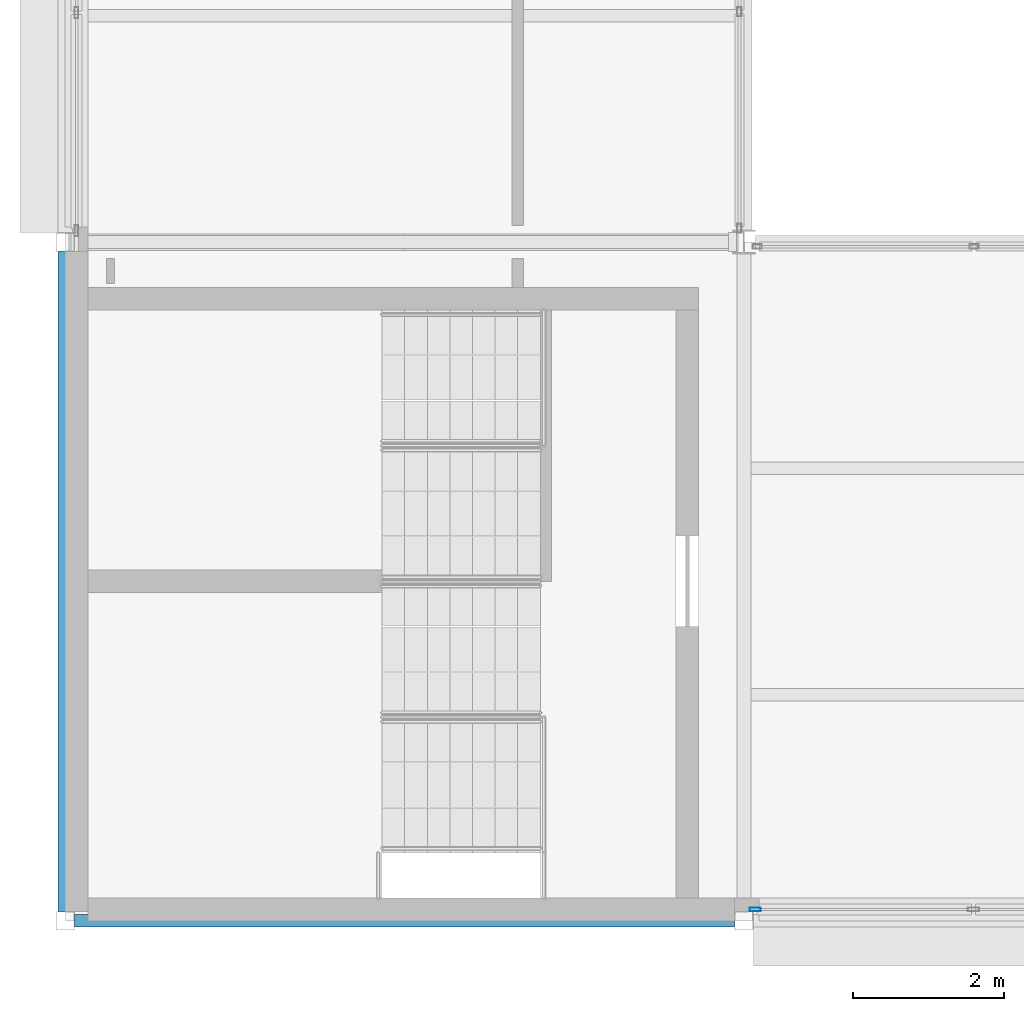
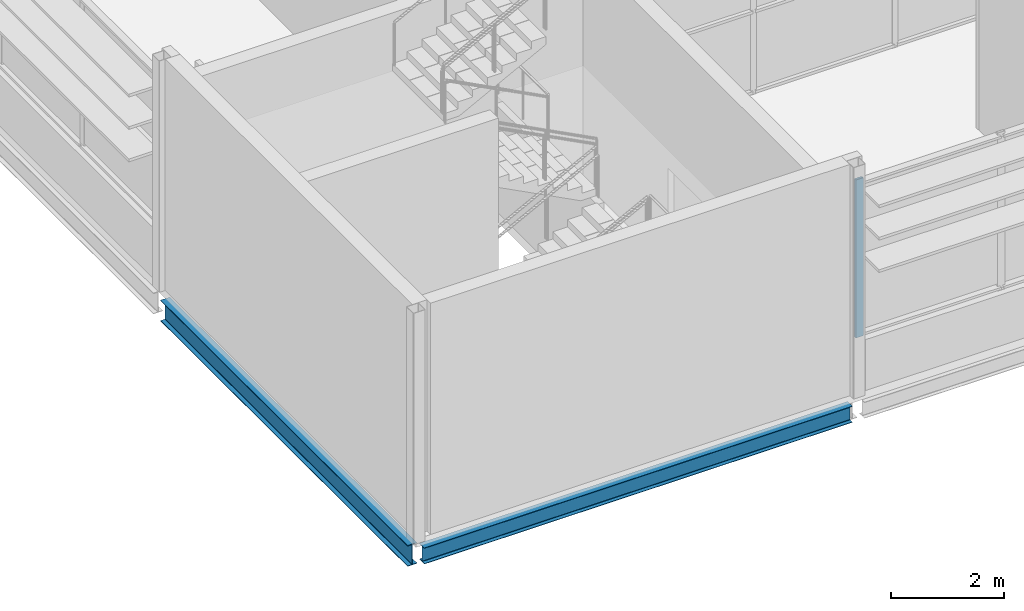
# One storey, part 7 of 61: 2 beams, 1 member, 1 element without a shape of its own.
"""IFC4 building model written with IfcOpenShell, lengths in metres."""

from ifc_helpers import new_model, si_unit, direction, frame, origin, origin_2d, place, context, subcontext, project, spatial, hollow_rectangle, i_section, extrude, material, layer, layer_set, material_profile, profile_set, type_object, element, aggregate, save


model = new_model("IFC4")

# Units and contexts
model_context = context("Model", 3, precision=1e-05, world=origin(), true_north=direction((0.0, 1.0)))
body_context = subcontext(model_context, "Body", "Model", "MODEL_VIEW")
ifc_project = project(units=[si_unit("LENGTHUNIT", "METRE"), si_unit("AREAUNIT", "SQUARE_METRE"), si_unit("VOLUMEUNIT", "CUBIC_METRE"), si_unit("PLANEANGLEUNIT", "RADIAN"), si_unit("MASSUNIT", "GRAM", prefix="KILO")], contexts=[model_context])

# Site, building, storey
site_placement = place(None, origin())
site = spatial("IfcSite", under=ifc_project, at=site_placement, CompositionType="ELEMENT")
building_placement = place(site_placement, origin())
building = spatial("IfcBuilding", under=site, at=building_placement, Name="Shorebreak Coast Museum", CompositionType="ELEMENT")
storey_placement = place(building_placement, frame((0.0, 0.0, 26.0)))
storey = spatial("IfcBuildingStorey", under=building, at=storey_placement, Name="L04", CompositionType="ELEMENT", Elevation=26.0)

# Beams
ifc_material_1 = material(Name="Steel Grade 300", Category="steel")
ifc_material_profile_1 = material_profile(ifc_material_1, i_section(OverallWidth=0.1708984375, OverallDepth=0.35205078125, WebThickness=0.0068359375, FlangeThickness=0.009765625, FilletRadius=0.011474609375, at=origin_2d()), Name="360UB44.7")
ifc_profile_set_1 = profile_set([ifc_material_profile_1], Name="Steel Grade 300")
beam_type_1 = type_object("IfcBeamType", Name="Floor girder east-west 360UB44.7", PredefinedType="BEAM", material=ifc_profile_set_1)
beam_1_placement = place(storey_placement, frame((54.125, 54.0, -0.35107421875), z_axis=(1.0, 0.0, 0.0), x_axis=(0.0, 1.0, 0.0)))
element("IfcBeam", 1, at=beam_1_placement, inside=storey, type_object=beam_type_1, Name="Floor girder east-west L04 7G", PredefinedType="BEAM", context=body_context, shape_type="SweptSolid", body=[
    extrude(i_section(OverallWidth=0.1708984375, OverallDepth=0.35205078125, WebThickness=0.0068359375, FlangeThickness=0.009765625, FilletRadius=0.011474609375, at=origin_2d()), origin(), (0.0, 0.0, 1.0), 8.75),
])
ifc_material_2 = material(Name="Steel Grade 300", Category="steel")
ifc_material_profile_2 = material_profile(ifc_material_2, i_section(OverallWidth=0.18994140625, OverallDepth=0.453857421875, WebThickness=0.008544921875, FlangeThickness=0.0126953125, FilletRadius=0.011474609375, at=origin_2d()), Name="460UB67.1")
ifc_profile_set_2 = profile_set([ifc_material_profile_2], Name="Steel Grade 300")
beam_type_2 = type_object("IfcBeamType", Name="Floor girder north-south 460UB67.1", PredefinedType="BEAM", material=ifc_profile_set_2)
beam_2_placement = place(storey_placement, frame((54.0, 54.125, -0.40185546875), z_axis=(0.0, 1.0, 0.0), x_axis=(-1.0, 0.0, 0.0)))
element("IfcBeam", 2, at=beam_2_placement, inside=storey, type_object=beam_type_2, Name="Floor girder north-south L04 7G", PredefinedType="BEAM", context=body_context, shape_type="SweptSolid", body=[
    extrude(i_section(OverallWidth=0.18994140625, OverallDepth=0.453857421875, WebThickness=0.008544921875, FlangeThickness=0.0126953125, FilletRadius=0.011474609375, at=origin_2d()), origin(), (0.0, 0.0, 1.0), 8.75),
])

# Curtain wall, member
ifc_material_3 = material(Name="Aluminium", Category="aluminium")
ifc_layer = layer(ifc_material_3, 0.14990234375)
ifc_layer_set = layer_set([ifc_layer], Name="Aluminium")
curtain_wall_type = type_object("IfcCurtainWallType", Name="Storefront curtain wall", PredefinedType="NOTDEFINED", material=ifc_layer_set)
curtain_wall_placement = place(storey_placement, origin())
curtain_wall = element("IfcCurtainWall", 3, at=curtain_wall_placement, inside=storey, type_object=curtain_wall_type, Name="Atrium Hall glazing L04 S 4", PredefinedType="NOTDEFINED")
ifc_material_4 = material(Name="Aluminium", Category="aluminium")
ifc_material_profile_3 = material_profile(ifc_material_4, hollow_rectangle(XDim=0.050048828125, YDim=0.14990234375, WallThickness=0.00390625, at=origin_2d()), Name="AL 150x50 RHS")
ifc_profile_set_3 = profile_set([ifc_material_profile_3], Name="Aluminium")
member_type = type_object("IfcMemberType", Name="Storefront mullion 50 x 150", PredefinedType="MULLION", material=ifc_profile_set_3)
member_placement = place(storey_placement, frame((63.14990234375, 54.14990234375, 1.10009765625), z_axis=(0.0, 0.0, 1.0), x_axis=(0.0, 1.0, 0.0)))
member = element("IfcMember", 4, at=member_placement, type_object=member_type, Name="CW5 mullion 1", PredefinedType="MULLION", context=body_context, shape_type="SweptSolid", body=[
    extrude(hollow_rectangle(XDim=0.050048828125, YDim=0.14990234375, WallThickness=0.00390625, at=origin_2d()), origin(), (0.0, 0.0, 1.0), 3.417724609375),
])
aggregate(curtain_wall, [member])

save(model, "model.ifc")
